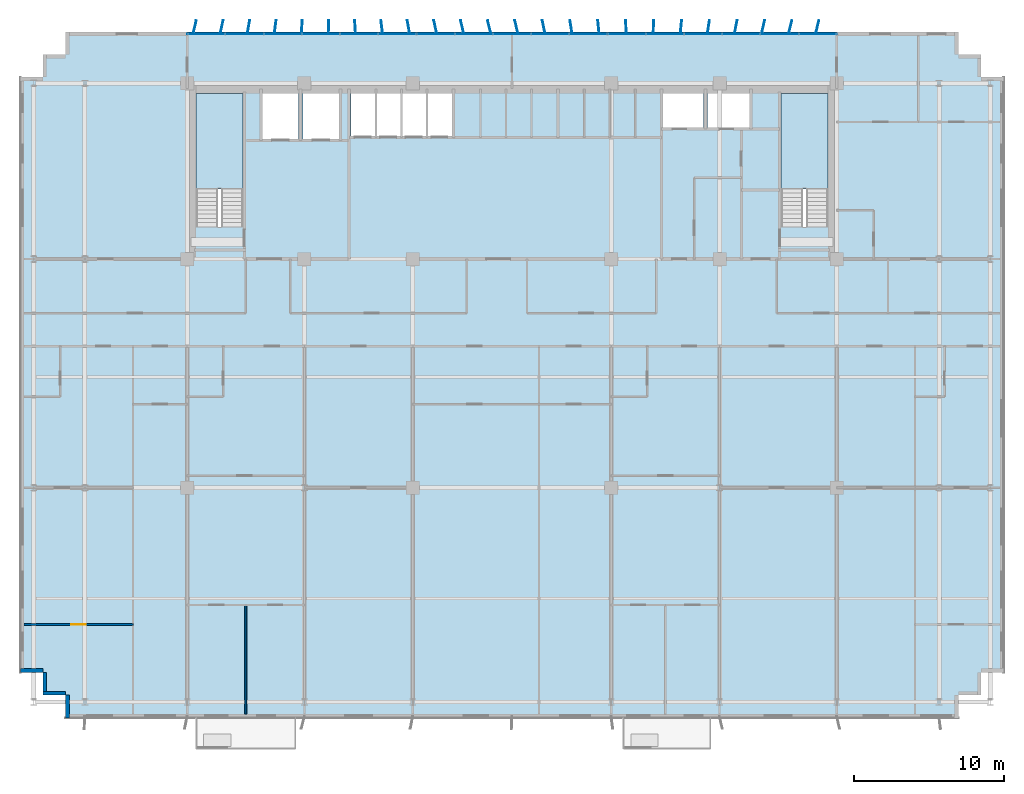
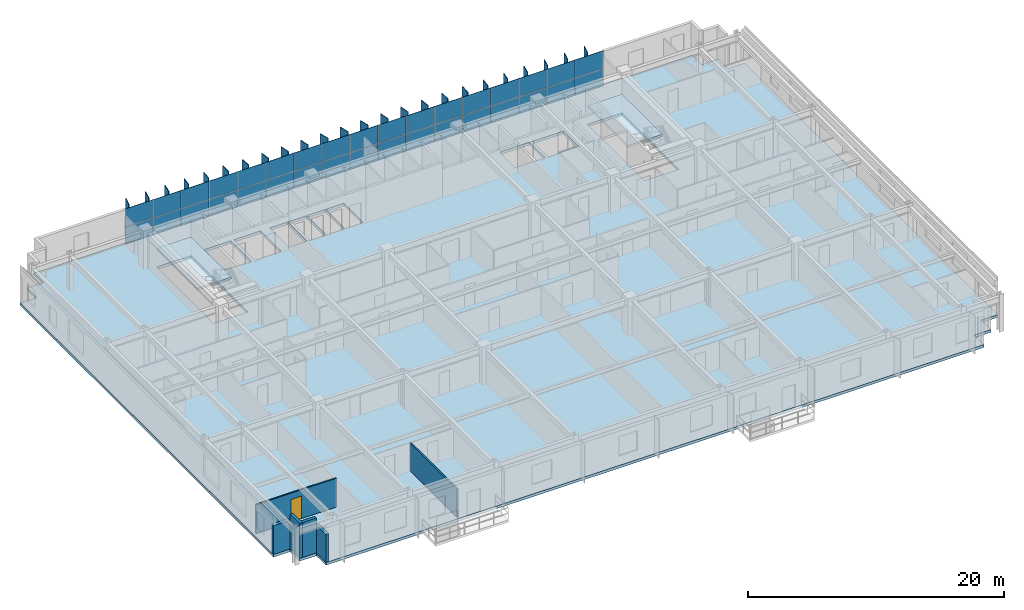
# One storey, part 14 of 22: 58 plates, 6 walls, 3 slabs, 1 door, 1 opening, 3 elements without a shape of their own.
"""IFC4 building model written with IfcOpenShell, lengths in metres."""

from ifc_helpers import new_model, si_unit, direction, frame, frame_2d, origin, origin_2d, place, context, subcontext, project, spatial, polyline, rectangle, outline, extrude, source, transform, mapped, material, layer, layer_set, type_object, element, fill, aggregate, save


model = new_model("IFC4")

# Units and contexts
model_context = context("Model", 3, precision=1e-05, world=origin(), true_north=direction((0.0, 1.0)))
body_context = subcontext(model_context, "Body", "Model", "MODEL_VIEW")
ifc_project = project(units=[si_unit("LENGTHUNIT", "METRE"), si_unit("AREAUNIT", "SQUARE_METRE"), si_unit("VOLUMEUNIT", "CUBIC_METRE"), si_unit("PLANEANGLEUNIT", "RADIAN"), si_unit("MASSUNIT", "GRAM", prefix="KILO")], contexts=[model_context])

# Site, building, storey
site_placement = place(None, origin())
site = spatial("IfcSite", under=ifc_project, at=site_placement, CompositionType="ELEMENT")
building_placement = place(site_placement, origin())
building = spatial("IfcBuilding", under=site, at=building_placement, Name="Trelvane Seafront Commons", CompositionType="ELEMENT")
storey_placement = place(building_placement, frame((0.0, 0.0, 52.300048828125)))
storey = spatial("IfcBuildingStorey", under=building, at=storey_placement, Name="L13", CompositionType="ELEMENT", Elevation=52.300048828125)

# Stair, slab
ifc_material_1 = material(Name="Concrete C40/50", Category="concrete")
stair_type_1 = type_object("IfcStairType", Name="ARCH-STR-ST-1-R20-180", PredefinedType="HALF_TURN_STAIR", material=ifc_material_1)
stair_1_placement = place(storey_placement, origin())
stair_1 = element("IfcStair", 1, at=stair_1_placement, inside=storey, type_object=stair_type_1, Name="L13 West Protected Firefighting Exit Stair ST-1", PredefinedType="HALF_TURN_STAIR")
ifc_layer_1 = layer(ifc_material_1, 0.199951171875, Name="ARCH-LND-200")
ifc_layer_set_1 = layer_set([ifc_layer_1], Name="Concrete C40/50")
slab_type_1 = type_object("IfcSlabType", Name="ARCH-LND-200", PredefinedType="LANDING", material=ifc_layer_set_1)
slab_1_placement = place(storey_placement, frame((0.0, 0.0, 1.599853515625)))
slab_1 = element("IfcSlab", 2, at=slab_1_placement, type_object=slab_type_1, Name="ST-1 landing 1", PredefinedType="LANDING", context=body_context, shape_type="SweptSolid", body=[
    extrude(outline(polyline([(19.300048828125, 38.070068359375), (19.300048828125, 44.39990234375), (16.199951171875, 44.39990234375), (16.199951171875, 38.070068359375), (19.300048828125, 38.070068359375)])), origin(), (0.0, 0.0, 1.0), 0.2001953125),
])
aggregate(stair_1, [slab_1])

stair_type_2 = type_object("IfcStairType", Name="ARCH-STR-ST-2-R20-180", PredefinedType="HALF_TURN_STAIR", material=ifc_material_1)
stair_2_placement = place(storey_placement, origin())
stair_2 = element("IfcStair", 3, at=stair_2_placement, inside=storey, type_object=stair_type_2, Name="L13 East Protected Firefighting Exit Stair ST-2", PredefinedType="HALF_TURN_STAIR")
slab_2_placement = place(storey_placement, frame((0.0, 0.0, 1.599853515625)))
slab_2 = element("IfcSlab", 4, at=slab_2_placement, type_object=slab_type_1, Name="ST-2 landing 1", PredefinedType="LANDING", context=body_context, shape_type="SweptSolid", body=[
    extrude(outline(polyline([(58.199951171875, 38.070068359375), (58.199951171875, 44.39990234375), (55.10009765625, 44.39990234375), (55.10009765625, 38.070068359375), (58.199951171875, 38.070068359375)])), origin(), (0.0, 0.0, 1.0), 0.2001953125),
])
aggregate(stair_2, [slab_2])

# Slab
ifc_material_2 = material(Name="Concrete C50/60", Category="concrete")
ifc_layer_2 = layer(ifc_material_2, 0.260009765625, Name="STR-SLB-Z1-260")
ifc_layer_set_2 = layer_set([ifc_layer_2], Name="Concrete C50/60")
slab_type_2 = type_object("IfcSlabType", Name="STR-SLB-Z1-260", PredefinedType="FLOOR", material=ifc_layer_set_2)
slab_3_placement = place(storey_placement, frame((0.0, 0.0, -0.260009765625)))
element("IfcSlab", 5, at=slab_3_placement, inside=storey, type_object=slab_type_2, Name="L13 Structural Floor Slab", PredefinedType="FLOOR", context=body_context, shape_type="SweptSolid", body=[
    extrude(outline(polyline([(7.5, 2.89990234375), (66.89990234375, 2.89990234375), (66.89990234375, 4.39990234375), (68.39990234375, 4.39990234375), (68.39990234375, 5.89990234375), (69.89990234375, 5.89990234375), (69.89990234375, 45.5), (68.39990234375, 45.5), (68.39990234375, 47.0), (66.89990234375, 47.0), (66.89990234375, 48.5), (7.5, 48.5), (7.5, 47.0), (6.0, 47.0), (6.0, 45.5), (4.5, 45.5), (4.5, 5.89990234375), (6.0, 5.89990234375), (6.0, 4.39990234375), (7.5, 4.39990234375), (7.5, 2.89990234375)]), holes=[polyline([(19.300048828125, 35.550048828125), (16.199951171875, 35.550048828125), (16.199951171875, 44.39990234375), (19.300048828125, 44.39990234375), (19.300048828125, 35.550048828125)]), polyline([(58.199951171875, 35.550048828125), (55.10009765625, 35.550048828125), (55.10009765625, 44.39990234375), (58.199951171875, 44.39990234375), (58.199951171875, 35.550048828125)]), polyline([(23.0, 41.39990234375), (20.60009765625, 41.39990234375), (20.60009765625, 44.60009765625), (23.0, 44.60009765625), (23.0, 41.39990234375)]), polyline([(23.300048828125, 41.39990234375), (23.300048828125, 44.60009765625), (25.699951171875, 44.60009765625), (25.699951171875, 41.39990234375), (23.300048828125, 41.39990234375)]), polyline([(26.5, 41.60009765625), (26.5, 44.60009765625), (28.1201171875, 44.60009765625), (28.1201171875, 41.60009765625), (26.5, 41.60009765625)]), polyline([(29.820068359375, 41.60009765625), (28.199951171875, 41.60009765625), (28.199951171875, 44.60009765625), (29.820068359375, 44.60009765625), (29.820068359375, 41.60009765625)]), polyline([(31.52001953125, 41.60009765625), (29.89990234375, 41.60009765625), (29.89990234375, 44.60009765625), (31.52001953125, 44.60009765625), (31.52001953125, 41.60009765625)]), polyline([(33.219970703125, 41.60009765625), (31.60009765625, 41.60009765625), (31.60009765625, 44.60009765625), (33.219970703125, 44.60009765625), (33.219970703125, 41.60009765625)]), polyline([(47.25, 42.14990234375), (47.25, 44.550048828125), (49.949951171875, 44.550048828125), (49.949951171875, 42.14990234375), (47.25, 42.14990234375)]), polyline([(50.199951171875, 42.14990234375), (50.199951171875, 44.550048828125), (53.0, 44.550048828125), (53.0, 42.14990234375), (50.199951171875, 42.14990234375)])]), origin(), (0.0, 0.0, 1.0), 0.260009765625),
])

# Curtain wall, plates
ifc_material_3 = material(Name="Anodised pale-silver aluminium", Category="aluminium")
curtain_wall_type = type_object("IfcCurtainWallType", Name="ARCH-CW2-LOWTOWER", PredefinedType="NOTDEFINED", material=ifc_material_3)
curtain_wall_placement = place(storey_placement, origin())
curtain_wall = element("IfcCurtainWall", 6, at=curtain_wall_placement, inside=storey, type_object=curtain_wall_type, Name="CW-L13-0037", PredefinedType="NOTDEFINED")
ifc_material_4 = material(Name="Low-E coastal double glazing", Category="glass")
ifc_layer_3 = layer(ifc_material_4, 0.033935546875, Name="ARCH-CW-GLAZ-34")
ifc_layer_set_3 = layer_set([ifc_layer_3], Name="Low-E coastal double glazing")
plate_type_1 = type_object("IfcPlateType", Name="ARCH-CW-GLAZ-34", PredefinedType="CURTAIN_PANEL", material=ifc_layer_set_3)
shared_shape_1 = source(origin(), body_context, "Body", "SweptSolid", [
    extrude(rectangle(XDim=2.51708984375, YDim=0.031982421875, at=origin_2d()), origin(), (0.0, 0.0, 1.0), 1.5849609375),
])
plate_1_placement = place(storey_placement, frame((16.87060546875, 48.3701171875, 0.0), z_axis=(0.0, 0.0, 1.0), x_axis=(1.0, 0.0, 0.0)))
plate_1 = element("IfcPlate", 7, at=plate_1_placement, type_object=plate_type_1, Name="CW-L13-0037-P00-1", PredefinedType="CURTAIN_PANEL", context=body_context, shape_type="MappedRepresentation", body=[
    mapped(shared_shape_1, transform((0.0, 0.0, 0.0), x_axis=(1.0, 0.0, 0.0), y_axis=(0.0, 1.0, 0.0), z_axis=(0.0, 0.0, 1.0), scale=1.0)),
])
plate_2_placement = place(storey_placement, frame((19.411865234375, 48.3701171875, 0.0), z_axis=(0.0, 0.0, 1.0), x_axis=(1.0, 0.0, 0.0)))
plate_2 = element("IfcPlate", 8, at=plate_2_placement, type_object=plate_type_1, Name="CW-L13-0037-P01-1", PredefinedType="CURTAIN_PANEL", context=body_context, shape_type="MappedRepresentation", body=[
    mapped(shared_shape_1, transform((0.0, 0.0, 0.0), x_axis=(1.0, 0.0, 0.0), y_axis=(0.0, 1.0, 0.0), z_axis=(0.0, 0.0, 1.0), scale=1.0)),
])
plate_3_placement = place(storey_placement, frame((21.952880859375, 48.3701171875, 0.0), z_axis=(0.0, 0.0, 1.0), x_axis=(1.0, 0.0, 0.0)))
plate_3 = element("IfcPlate", 9, at=plate_3_placement, type_object=plate_type_1, Name="CW-L13-0037-P02-1", PredefinedType="CURTAIN_PANEL", context=body_context, shape_type="MappedRepresentation", body=[
    mapped(shared_shape_1, transform((0.0, 0.0, 0.0), x_axis=(1.0, 0.0, 0.0), y_axis=(0.0, 1.0, 0.0), z_axis=(0.0, 0.0, 1.0), scale=1.0)),
])
plate_4_placement = place(storey_placement, frame((24.494140625, 48.3701171875, 0.0), z_axis=(0.0, 0.0, 1.0), x_axis=(1.0, 0.0, 0.0)))
plate_4 = element("IfcPlate", 10, at=plate_4_placement, type_object=plate_type_1, Name="CW-L13-0037-P03-1", PredefinedType="CURTAIN_PANEL", context=body_context, shape_type="MappedRepresentation", body=[
    mapped(shared_shape_1, transform((0.0, 0.0, 0.0), x_axis=(1.0, 0.0, 0.0), y_axis=(0.0, 1.0, 0.0), z_axis=(0.0, 0.0, 1.0), scale=1.0)),
])
plate_5_placement = place(storey_placement, frame((27.035400390625, 48.3701171875, 0.0), z_axis=(0.0, 0.0, 1.0), x_axis=(1.0, 0.0, 0.0)))
plate_5 = element("IfcPlate", 11, at=plate_5_placement, type_object=plate_type_1, Name="CW-L13-0037-P04-1", PredefinedType="CURTAIN_PANEL", context=body_context, shape_type="MappedRepresentation", body=[
    mapped(shared_shape_1, transform((0.0, 0.0, 0.0), x_axis=(1.0, 0.0, 0.0), y_axis=(0.0, 1.0, 0.0), z_axis=(0.0, 0.0, 1.0), scale=1.0)),
])
plate_6_placement = place(storey_placement, frame((29.576416015625, 48.3701171875, 0.0), z_axis=(0.0, 0.0, 1.0), x_axis=(1.0, 0.0, 0.0)))
plate_6 = element("IfcPlate", 12, at=plate_6_placement, type_object=plate_type_1, Name="CW-L13-0037-P05-1", PredefinedType="CURTAIN_PANEL", context=body_context, shape_type="MappedRepresentation", body=[
    mapped(shared_shape_1, transform((0.0, 0.0, 0.0), x_axis=(1.0, 0.0, 0.0), y_axis=(0.0, 1.0, 0.0), z_axis=(0.0, 0.0, 1.0), scale=1.0)),
])
plate_7_placement = place(storey_placement, frame((32.11767578125, 48.3701171875, 0.0), z_axis=(0.0, 0.0, 1.0), x_axis=(1.0, 0.0, 0.0)))
plate_7 = element("IfcPlate", 13, at=plate_7_placement, type_object=plate_type_1, Name="CW-L13-0037-P06-1", PredefinedType="CURTAIN_PANEL", context=body_context, shape_type="MappedRepresentation", body=[
    mapped(shared_shape_1, transform((0.0, 0.0, 0.0), x_axis=(1.0, 0.0, 0.0), y_axis=(0.0, 1.0, 0.0), z_axis=(0.0, 0.0, 1.0), scale=1.0)),
])
plate_8_placement = place(storey_placement, frame((34.65869140625, 48.3701171875, 0.0), z_axis=(0.0, 0.0, 1.0), x_axis=(1.0, 0.0, 0.0)))
plate_8 = element("IfcPlate", 14, at=plate_8_placement, type_object=plate_type_1, Name="CW-L13-0037-P07-1", PredefinedType="CURTAIN_PANEL", context=body_context, shape_type="MappedRepresentation", body=[
    mapped(shared_shape_1, transform((0.0, 0.0, 0.0), x_axis=(1.0, 0.0, 0.0), y_axis=(0.0, 1.0, 0.0), z_axis=(0.0, 0.0, 1.0), scale=1.0)),
])
plate_9_placement = place(storey_placement, frame((37.199951171875, 48.3701171875, 0.0), z_axis=(0.0, 0.0, 1.0), x_axis=(1.0, 0.0, 0.0)))
plate_9 = element("IfcPlate", 15, at=plate_9_placement, type_object=plate_type_1, Name="CW-L13-0037-P08-1", PredefinedType="CURTAIN_PANEL", context=body_context, shape_type="MappedRepresentation", body=[
    mapped(shared_shape_1, transform((0.0, 0.0, 0.0), x_axis=(1.0, 0.0, 0.0), y_axis=(0.0, 1.0, 0.0), z_axis=(0.0, 0.0, 1.0), scale=1.0)),
])
plate_10_placement = place(storey_placement, frame((39.7412109375, 48.3701171875, 0.0), z_axis=(0.0, 0.0, 1.0), x_axis=(1.0, 0.0, 0.0)))
plate_10 = element("IfcPlate", 16, at=plate_10_placement, type_object=plate_type_1, Name="CW-L13-0037-P09-1", PredefinedType="CURTAIN_PANEL", context=body_context, shape_type="MappedRepresentation", body=[
    mapped(shared_shape_1, transform((0.0, 0.0, 0.0), x_axis=(1.0, 0.0, 0.0), y_axis=(0.0, 1.0, 0.0), z_axis=(0.0, 0.0, 1.0), scale=1.0)),
])
plate_11_placement = place(storey_placement, frame((42.282470703125, 48.3701171875, 0.0), z_axis=(0.0, 0.0, 1.0), x_axis=(1.0, 0.0, 0.0)))
plate_11 = element("IfcPlate", 17, at=plate_11_placement, type_object=plate_type_1, Name="CW-L13-0037-P10-1", PredefinedType="CURTAIN_PANEL", context=body_context, shape_type="MappedRepresentation", body=[
    mapped(shared_shape_1, transform((0.0, 0.0, 0.0), x_axis=(1.0, 0.0, 0.0), y_axis=(0.0, 1.0, 0.0), z_axis=(0.0, 0.0, 1.0), scale=1.0)),
])
plate_12_placement = place(storey_placement, frame((44.823486328125, 48.3701171875, 0.0), z_axis=(0.0, 0.0, 1.0), x_axis=(1.0, 0.0, 0.0)))
plate_12 = element("IfcPlate", 18, at=plate_12_placement, type_object=plate_type_1, Name="CW-L13-0037-P11-1", PredefinedType="CURTAIN_PANEL", context=body_context, shape_type="MappedRepresentation", body=[
    mapped(shared_shape_1, transform((0.0, 0.0, 0.0), x_axis=(1.0, 0.0, 0.0), y_axis=(0.0, 1.0, 0.0), z_axis=(0.0, 0.0, 1.0), scale=1.0)),
])
plate_13_placement = place(storey_placement, frame((47.36474609375, 48.3701171875, 0.0), z_axis=(0.0, 0.0, 1.0), x_axis=(1.0, 0.0, 0.0)))
plate_13 = element("IfcPlate", 19, at=plate_13_placement, type_object=plate_type_1, Name="CW-L13-0037-P12-1", PredefinedType="CURTAIN_PANEL", context=body_context, shape_type="MappedRepresentation", body=[
    mapped(shared_shape_1, transform((0.0, 0.0, 0.0), x_axis=(1.0, 0.0, 0.0), y_axis=(0.0, 1.0, 0.0), z_axis=(0.0, 0.0, 1.0), scale=1.0)),
])
plate_14_placement = place(storey_placement, frame((49.906005859375, 48.3701171875, 0.0), z_axis=(0.0, 0.0, 1.0), x_axis=(1.0, 0.0, 0.0)))
plate_14 = element("IfcPlate", 20, at=plate_14_placement, type_object=plate_type_1, Name="CW-L13-0037-P13-1", PredefinedType="CURTAIN_PANEL", context=body_context, shape_type="MappedRepresentation", body=[
    mapped(shared_shape_1, transform((0.0, 0.0, 0.0), x_axis=(1.0, 0.0, 0.0), y_axis=(0.0, 1.0, 0.0), z_axis=(0.0, 0.0, 1.0), scale=1.0)),
])
plate_15_placement = place(storey_placement, frame((52.447021484375, 48.3701171875, 0.0), z_axis=(0.0, 0.0, 1.0), x_axis=(1.0, 0.0, 0.0)))
plate_15 = element("IfcPlate", 21, at=plate_15_placement, type_object=plate_type_1, Name="CW-L13-0037-P14-1", PredefinedType="CURTAIN_PANEL", context=body_context, shape_type="MappedRepresentation", body=[
    mapped(shared_shape_1, transform((0.0, 0.0, 0.0), x_axis=(1.0, 0.0, 0.0), y_axis=(0.0, 1.0, 0.0), z_axis=(0.0, 0.0, 1.0), scale=1.0)),
])
plate_16_placement = place(storey_placement, frame((54.98828125, 48.3701171875, 0.0), z_axis=(0.0, 0.0, 1.0), x_axis=(1.0, 0.0, 0.0)))
plate_16 = element("IfcPlate", 22, at=plate_16_placement, type_object=plate_type_1, Name="CW-L13-0037-P15-1", PredefinedType="CURTAIN_PANEL", context=body_context, shape_type="MappedRepresentation", body=[
    mapped(shared_shape_1, transform((0.0, 0.0, 0.0), x_axis=(1.0, 0.0, 0.0), y_axis=(0.0, 1.0, 0.0), z_axis=(0.0, 0.0, 1.0), scale=1.0)),
])
plate_17_placement = place(storey_placement, frame((57.529296875, 48.3701171875, 0.0), z_axis=(0.0, 0.0, 1.0), x_axis=(1.0, 0.0, 0.0)))
plate_17 = element("IfcPlate", 23, at=plate_17_placement, type_object=plate_type_1, Name="CW-L13-0037-P16-1", PredefinedType="CURTAIN_PANEL", context=body_context, shape_type="MappedRepresentation", body=[
    mapped(shared_shape_1, transform((0.0, 0.0, 0.0), x_axis=(1.0, 0.0, 0.0), y_axis=(0.0, 1.0, 0.0), z_axis=(0.0, 0.0, 1.0), scale=1.0)),
])
shared_shape_2 = source(origin(), body_context, "Body", "SweptSolid", [
    extrude(rectangle(XDim=2.51708984375, YDim=0.031982421875, at=origin_2d()), origin(), (0.0, 0.0, 1.0), 1.718994140625),
])
plate_18_placement = place(storey_placement, frame((16.87060546875, 48.3701171875, 1.62109375), z_axis=(0.0, 0.0, 1.0), x_axis=(1.0, 0.0, 0.0)))
plate_18 = element("IfcPlate", 24, at=plate_18_placement, type_object=plate_type_1, Name="CW-L13-0037-P00-2", PredefinedType="CURTAIN_PANEL", context=body_context, shape_type="MappedRepresentation", body=[
    mapped(shared_shape_2, transform((0.0, 0.0, 0.0), x_axis=(1.0, 0.0, 0.0), y_axis=(0.0, 1.0, 0.0), z_axis=(0.0, 0.0, 1.0), scale=1.0)),
])
plate_19_placement = place(storey_placement, frame((19.411865234375, 48.3701171875, 1.62109375), z_axis=(0.0, 0.0, 1.0), x_axis=(1.0, 0.0, 0.0)))
plate_19 = element("IfcPlate", 25, at=plate_19_placement, type_object=plate_type_1, Name="CW-L13-0037-P01-2", PredefinedType="CURTAIN_PANEL", context=body_context, shape_type="MappedRepresentation", body=[
    mapped(shared_shape_2, transform((0.0, 0.0, 0.0), x_axis=(1.0, 0.0, 0.0), y_axis=(0.0, 1.0, 0.0), z_axis=(0.0, 0.0, 1.0), scale=1.0)),
])
plate_20_placement = place(storey_placement, frame((21.952880859375, 48.3701171875, 1.62109375), z_axis=(0.0, 0.0, 1.0), x_axis=(1.0, 0.0, 0.0)))
plate_20 = element("IfcPlate", 26, at=plate_20_placement, type_object=plate_type_1, Name="CW-L13-0037-P02-2", PredefinedType="CURTAIN_PANEL", context=body_context, shape_type="MappedRepresentation", body=[
    mapped(shared_shape_2, transform((0.0, 0.0, 0.0), x_axis=(1.0, 0.0, 0.0), y_axis=(0.0, 1.0, 0.0), z_axis=(0.0, 0.0, 1.0), scale=1.0)),
])
plate_21_placement = place(storey_placement, frame((24.494140625, 48.3701171875, 1.62109375), z_axis=(0.0, 0.0, 1.0), x_axis=(1.0, 0.0, 0.0)))
plate_21 = element("IfcPlate", 27, at=plate_21_placement, type_object=plate_type_1, Name="CW-L13-0037-P03-2", PredefinedType="CURTAIN_PANEL", context=body_context, shape_type="MappedRepresentation", body=[
    mapped(shared_shape_2, transform((0.0, 0.0, 0.0), x_axis=(1.0, 0.0, 0.0), y_axis=(0.0, 1.0, 0.0), z_axis=(0.0, 0.0, 1.0), scale=1.0)),
])
plate_22_placement = place(storey_placement, frame((27.035400390625, 48.3701171875, 1.62109375), z_axis=(0.0, 0.0, 1.0), x_axis=(1.0, 0.0, 0.0)))
plate_22 = element("IfcPlate", 28, at=plate_22_placement, type_object=plate_type_1, Name="CW-L13-0037-P04-2", PredefinedType="CURTAIN_PANEL", context=body_context, shape_type="MappedRepresentation", body=[
    mapped(shared_shape_2, transform((0.0, 0.0, 0.0), x_axis=(1.0, 0.0, 0.0), y_axis=(0.0, 1.0, 0.0), z_axis=(0.0, 0.0, 1.0), scale=1.0)),
])
plate_23_placement = place(storey_placement, frame((29.576416015625, 48.3701171875, 1.62109375), z_axis=(0.0, 0.0, 1.0), x_axis=(1.0, 0.0, 0.0)))
plate_23 = element("IfcPlate", 29, at=plate_23_placement, type_object=plate_type_1, Name="CW-L13-0037-P05-2", PredefinedType="CURTAIN_PANEL", context=body_context, shape_type="MappedRepresentation", body=[
    mapped(shared_shape_2, transform((0.0, 0.0, 0.0), x_axis=(1.0, 0.0, 0.0), y_axis=(0.0, 1.0, 0.0), z_axis=(0.0, 0.0, 1.0), scale=1.0)),
])
plate_24_placement = place(storey_placement, frame((32.11767578125, 48.3701171875, 1.62109375), z_axis=(0.0, 0.0, 1.0), x_axis=(1.0, 0.0, 0.0)))
plate_24 = element("IfcPlate", 30, at=plate_24_placement, type_object=plate_type_1, Name="CW-L13-0037-P06-2", PredefinedType="CURTAIN_PANEL", context=body_context, shape_type="MappedRepresentation", body=[
    mapped(shared_shape_2, transform((0.0, 0.0, 0.0), x_axis=(1.0, 0.0, 0.0), y_axis=(0.0, 1.0, 0.0), z_axis=(0.0, 0.0, 1.0), scale=1.0)),
])
plate_25_placement = place(storey_placement, frame((34.65869140625, 48.3701171875, 1.62109375), z_axis=(0.0, 0.0, 1.0), x_axis=(1.0, 0.0, 0.0)))
plate_25 = element("IfcPlate", 31, at=plate_25_placement, type_object=plate_type_1, Name="CW-L13-0037-P07-2", PredefinedType="CURTAIN_PANEL", context=body_context, shape_type="MappedRepresentation", body=[
    mapped(shared_shape_2, transform((0.0, 0.0, 0.0), x_axis=(1.0, 0.0, 0.0), y_axis=(0.0, 1.0, 0.0), z_axis=(0.0, 0.0, 1.0), scale=1.0)),
])
plate_26_placement = place(storey_placement, frame((37.199951171875, 48.3701171875, 1.62109375), z_axis=(0.0, 0.0, 1.0), x_axis=(1.0, 0.0, 0.0)))
plate_26 = element("IfcPlate", 32, at=plate_26_placement, type_object=plate_type_1, Name="CW-L13-0037-P08-2", PredefinedType="CURTAIN_PANEL", context=body_context, shape_type="MappedRepresentation", body=[
    mapped(shared_shape_2, transform((0.0, 0.0, 0.0), x_axis=(1.0, 0.0, 0.0), y_axis=(0.0, 1.0, 0.0), z_axis=(0.0, 0.0, 1.0), scale=1.0)),
])
plate_27_placement = place(storey_placement, frame((39.7412109375, 48.3701171875, 1.62109375), z_axis=(0.0, 0.0, 1.0), x_axis=(1.0, 0.0, 0.0)))
plate_27 = element("IfcPlate", 33, at=plate_27_placement, type_object=plate_type_1, Name="CW-L13-0037-P09-2", PredefinedType="CURTAIN_PANEL", context=body_context, shape_type="MappedRepresentation", body=[
    mapped(shared_shape_2, transform((0.0, 0.0, 0.0), x_axis=(1.0, 0.0, 0.0), y_axis=(0.0, 1.0, 0.0), z_axis=(0.0, 0.0, 1.0), scale=1.0)),
])
plate_28_placement = place(storey_placement, frame((42.282470703125, 48.3701171875, 1.62109375), z_axis=(0.0, 0.0, 1.0), x_axis=(1.0, 0.0, 0.0)))
plate_28 = element("IfcPlate", 34, at=plate_28_placement, type_object=plate_type_1, Name="CW-L13-0037-P10-2", PredefinedType="CURTAIN_PANEL", context=body_context, shape_type="MappedRepresentation", body=[
    mapped(shared_shape_2, transform((0.0, 0.0, 0.0), x_axis=(1.0, 0.0, 0.0), y_axis=(0.0, 1.0, 0.0), z_axis=(0.0, 0.0, 1.0), scale=1.0)),
])
plate_29_placement = place(storey_placement, frame((44.823486328125, 48.3701171875, 1.62109375), z_axis=(0.0, 0.0, 1.0), x_axis=(1.0, 0.0, 0.0)))
plate_29 = element("IfcPlate", 35, at=plate_29_placement, type_object=plate_type_1, Name="CW-L13-0037-P11-2", PredefinedType="CURTAIN_PANEL", context=body_context, shape_type="MappedRepresentation", body=[
    mapped(shared_shape_2, transform((0.0, 0.0, 0.0), x_axis=(1.0, 0.0, 0.0), y_axis=(0.0, 1.0, 0.0), z_axis=(0.0, 0.0, 1.0), scale=1.0)),
])
plate_30_placement = place(storey_placement, frame((47.36474609375, 48.3701171875, 1.62109375), z_axis=(0.0, 0.0, 1.0), x_axis=(1.0, 0.0, 0.0)))
plate_30 = element("IfcPlate", 36, at=plate_30_placement, type_object=plate_type_1, Name="CW-L13-0037-P12-2", PredefinedType="CURTAIN_PANEL", context=body_context, shape_type="MappedRepresentation", body=[
    mapped(shared_shape_2, transform((0.0, 0.0, 0.0), x_axis=(1.0, 0.0, 0.0), y_axis=(0.0, 1.0, 0.0), z_axis=(0.0, 0.0, 1.0), scale=1.0)),
])
plate_31_placement = place(storey_placement, frame((49.906005859375, 48.3701171875, 1.62109375), z_axis=(0.0, 0.0, 1.0), x_axis=(1.0, 0.0, 0.0)))
plate_31 = element("IfcPlate", 37, at=plate_31_placement, type_object=plate_type_1, Name="CW-L13-0037-P13-2", PredefinedType="CURTAIN_PANEL", context=body_context, shape_type="MappedRepresentation", body=[
    mapped(shared_shape_2, transform((0.0, 0.0, 0.0), x_axis=(1.0, 0.0, 0.0), y_axis=(0.0, 1.0, 0.0), z_axis=(0.0, 0.0, 1.0), scale=1.0)),
])
plate_32_placement = place(storey_placement, frame((52.447021484375, 48.3701171875, 1.62109375), z_axis=(0.0, 0.0, 1.0), x_axis=(1.0, 0.0, 0.0)))
plate_32 = element("IfcPlate", 38, at=plate_32_placement, type_object=plate_type_1, Name="CW-L13-0037-P14-2", PredefinedType="CURTAIN_PANEL", context=body_context, shape_type="MappedRepresentation", body=[
    mapped(shared_shape_2, transform((0.0, 0.0, 0.0), x_axis=(1.0, 0.0, 0.0), y_axis=(0.0, 1.0, 0.0), z_axis=(0.0, 0.0, 1.0), scale=1.0)),
])
plate_33_placement = place(storey_placement, frame((54.98828125, 48.3701171875, 1.62109375), z_axis=(0.0, 0.0, 1.0), x_axis=(1.0, 0.0, 0.0)))
plate_33 = element("IfcPlate", 39, at=plate_33_placement, type_object=plate_type_1, Name="CW-L13-0037-P15-2", PredefinedType="CURTAIN_PANEL", context=body_context, shape_type="MappedRepresentation", body=[
    mapped(shared_shape_2, transform((0.0, 0.0, 0.0), x_axis=(1.0, 0.0, 0.0), y_axis=(0.0, 1.0, 0.0), z_axis=(0.0, 0.0, 1.0), scale=1.0)),
])
plate_34_placement = place(storey_placement, frame((57.529296875, 48.3701171875, 1.62109375), z_axis=(0.0, 0.0, 1.0), x_axis=(1.0, 0.0, 0.0)))
plate_34 = element("IfcPlate", 40, at=plate_34_placement, type_object=plate_type_1, Name="CW-L13-0037-P16-2", PredefinedType="CURTAIN_PANEL", context=body_context, shape_type="MappedRepresentation", body=[
    mapped(shared_shape_2, transform((0.0, 0.0, 0.0), x_axis=(1.0, 0.0, 0.0), y_axis=(0.0, 1.0, 0.0), z_axis=(0.0, 0.0, 1.0), scale=1.0)),
])
aggregate(curtain_wall, [plate_1, plate_18, plate_2, plate_19, plate_3, plate_20, plate_4, plate_21, plate_5, plate_22, plate_6, plate_23, plate_7, plate_24, plate_8, plate_25, plate_9, plate_26, plate_10, plate_27, plate_11, plate_28, plate_12, plate_29, plate_13, plate_30, plate_14, plate_31, plate_15, plate_32, plate_16, plate_33, plate_17, plate_34])

# Plates
ifc_layer_4 = layer(ifc_material_3, 0.06005859375, Name="ARCH-PLATE-FIN900")
ifc_layer_set_4 = layer_set([ifc_layer_4], Name="Anodised pale-silver aluminium")
plate_type_2 = type_object("IfcPlateType", Name="ARCH-PLATE-FIN900", PredefinedType="USERDEFINED", material=ifc_layer_set_4)
shared_shape_3 = source(origin(), body_context, "Body", "SweptSolid", [
    extrude(rectangle(XDim=0.89990234375, YDim=0.06005859375, at=origin_2d()), origin(), (0.0, 0.0, 1.0), 3.639892578125),
])
for number, where, z_axis, x_axis, name in (
    (41, (16.10693359375, 48.837158203125, -0.02001953125), (0.0, 0.0, 1.0), (0.237668939173, 0.971346218067, 0.0), "FIN-L13-00262"),
    (42, (17.897705078125, 48.83935546875, -0.02001953125), (0.0, 0.0, 1.0), (0.216989957944, 0.976173836031, 0.0), "FIN-L13-00263"),
    (43, (19.68115234375, 48.842529296875, -0.02001953125), (0.0, 0.0, 1.0), (0.180215288519, 0.983627190446, 0.0), "FIN-L13-00264"),
    (44, (21.45849609375, 48.84619140625, -0.02001953125), (0.0, 0.0, 1.0), (0.129885917893, 0.991528944778, 0.0), "FIN-L13-00265"),
    (45, (23.231201171875, 48.848876953125, -0.02001953125), (0.0, 0.0, 1.0), (0.069556248403, 0.997578031188, 0.0), "FIN-L13-00266"),
    (46, (25.001708984375, 48.85009765625, -0.02001953125), (0.0, 0.0, 1.0), (0.003776883522, 0.99999286755, 0.0), "FIN-L13-00267"),
    (47, (26.77197265625, 48.84912109375, -0.02001953125), (0.0, 0.0, 1.0), (-0.062219170912, 0.998062510453, 0.0), "FIN-L13-00268"),
    (48, (28.54443359375, 48.8466796875, -0.02001953125), (0.0, 0.0, 1.0), (-0.123336484605, 0.992364908471, 0.0), "FIN-L13-00269"),
    (49, (30.3212890625, 48.843017578125, -0.02001953125), (0.0, 0.0, 1.0), (-0.17500243827, 0.984567999988, 0.0), "FIN-L13-00270"),
    (50, (32.10400390625, 48.839599609375, -0.02001953125), (0.0, 0.0, 1.0), (-0.213564102788, 0.976929052695, 0.0), "FIN-L13-00271"),
    (51, (33.893798828125, 48.837158203125, -0.02001953125), (0.0, 0.0, 1.0), (-0.236229352972, 0.971697325711, 0.0), "FIN-L13-00272"),
    (52, (35.69140625, 48.836669921875, -0.02001953125), (0.0, 0.0, 1.0), (-0.24156794104, 0.970383908493, 0.0), "FIN-L13-00273"),
    (53, (37.496826171875, 48.837890625, -0.02001953125), (0.0, 0.0, 1.0), (-0.229441623036, 0.973322424286, 0.0), "FIN-L13-00274"),
    (54, (39.309814453125, 48.8408203125, -0.02001953125), (0.0, 0.0, 1.0), (-0.200452136794, 0.979703496398, 0.0), "FIN-L13-00275"),
    (55, (41.129638671875, 48.844482421875, -0.02001953125), (0.0, 0.0, 1.0), (-0.156555132767, 0.987669221149, 0.0), "FIN-L13-00276"),
    (56, (42.95458984375, 48.84765625, -0.02001953125), (0.0, 0.0, 1.0), (-0.100669073587, 0.994919965436, 0.0), "FIN-L13-00277"),
    (57, (44.783203125, 48.849609375, -0.02001953125), (0.0, 0.0, 1.0), (-0.03699951442, 0.999315283548, 0.0), "FIN-L13-00278"),
    (58, (46.61328125, 48.849853515625, -0.02001953125), (0.0, 0.0, 1.0), (0.029444684103, 0.999566411289, 0.0), "FIN-L13-00279"),
    (59, (48.442138671875, 48.847900390625, -0.02001953125), (0.0, 0.0, 1.0), (0.093670433209, 0.995603259307, 0.0), "FIN-L13-00280"),
    (60, (50.267822265625, 48.844970703125, -0.02001953125), (0.0, 0.0, 1.0), (0.15067075876, 0.988583998684, 0.0), "FIN-L13-00281"),
    (61, (52.08837890625, 48.84130859375, -0.02001953125), (0.0, 0.0, 1.0), (0.196115579366, 0.980580786845, 0.0), "FIN-L13-00282"),
    (62, (53.902099609375, 48.83837890625, -0.02001953125), (0.0, 0.0, 1.0), (0.226896087135, 0.973918972832, 0.0), "FIN-L13-00283"),
    (63, (57.507080078125, 48.837158203125, -0.02001953125), (0.0, 0.0, 1.0), (0.237668939173, 0.971346218067, 0.0), "FIN-L13-00285"),
):
    element("IfcPlate", number, at=place(storey_placement, frame(where, z_axis=z_axis, x_axis=x_axis)), inside=storey, type_object=plate_type_2, Name=name, ObjectType="FIN", PredefinedType="USERDEFINED", context=body_context, shape_type="MappedRepresentation", body=[
        mapped(shared_shape_3, transform((0.0, 0.0, 0.0), x_axis=(1.0, 0.0, 0.0), y_axis=(0.0, 1.0, 0.0), z_axis=(0.0, 0.0, 1.0), scale=1.0)),
    ])
shared_shape_4 = source(origin(), body_context, "Body", "SweptSolid", [
    extrude(rectangle(XDim=0.900146484375, YDim=0.06005859375, at=origin_2d()), origin(), (0.0, 0.0, 1.0), 3.639892578125),
])
plate_35_placement = place(storey_placement, frame((55.70849609375, 48.836669921875, -0.02001953125), z_axis=(0.0, 0.0, 1.0), x_axis=(0.241097080864, 0.970501003399, 0.0)))
element("IfcPlate", 64, at=plate_35_placement, inside=storey, type_object=plate_type_2, Name="FIN-L13-00284", ObjectType="FIN", PredefinedType="USERDEFINED", context=body_context, shape_type="MappedRepresentation", body=[
    mapped(shared_shape_4, transform((0.0, 0.0, 0.0), x_axis=(1.0, 0.0, 0.0), y_axis=(0.0, 1.0, 0.0), z_axis=(0.0, 0.0, 1.0), scale=1.0)),
])

# Walls
ifc_material_5 = material(Name="Precast concrete C40/50", Category="concrete")
ifc_layer_5 = layer(ifc_material_5, 0.260009765625, Name="ARCH-WALL-EXT260")
ifc_layer_set_5 = layer_set([ifc_layer_5], Name="Precast concrete C40/50")
wall_type_1 = type_object("IfcWallType", Name="ARCH-WALL-EXT260", PredefinedType="SOLIDWALL", material=ifc_layer_set_5)
for number, where, z_axis, x_axis, name in (
    (65, (7.5, 4.530029296875, 0.0), (0.0, 0.0, 1.0), (-1.0, 0.0, 0.0), "EW-L13-00215"),
    (66, (6.1298828125, 4.39990234375, 0.0), (0.0, 0.0, 1.0), (0.0, 1.0, 0.0), "EW-L13-00216"),
):
    element("IfcWall", number, at=place(storey_placement, frame(where, z_axis=z_axis, x_axis=x_axis)), inside=storey, type_object=wall_type_1, Name=name, PredefinedType="SOLIDWALL", context=body_context, shape_type="SweptSolid", body=[
        extrude(rectangle(XDim=1.5, YDim=0.260009765625, at=frame_2d((0.75, 0.0))), origin(), (0.0, 0.0, 1.0), 3.33984375),
    ])
wall_1_placement = place(storey_placement, frame((6.0, 6.030029296875, 0.0), z_axis=(0.0, 0.0, 1.0), x_axis=(-1.0, 0.0, 0.0)))
element("IfcWall", 67, at=wall_1_placement, inside=storey, type_object=wall_type_1, Name="EW-L13-00217", PredefinedType="SOLIDWALL", context=body_context, shape_type="SweptSolid", body=[
    extrude(rectangle(XDim=1.5, YDim=0.260009765625, at=frame_2d((0.75, 0.0))), origin(), (0.0, 0.0, 1.0), 2.751953125),
])
wall_2_placement = place(storey_placement, frame((7.6298828125, 2.89990234375, 0.0), z_axis=(0.0, 0.0, 1.0), x_axis=(0.0, 1.0, 0.0)))
element("IfcWall", 68, at=wall_2_placement, inside=storey, type_object=wall_type_1, Name="EW-L13-00233", PredefinedType="SOLIDWALL", context=body_context, shape_type="SweptSolid", body=[
    extrude(rectangle(XDim=1.5, YDim=0.260009765625, at=frame_2d((0.75, 0.0))), origin(), (0.0, 0.0, 1.0), 2.68994140625),
])

# Wall, opening, door
ifc_material_6 = material(Name="Gypsum Drywall Acoustic Partition")
ifc_layer_6 = layer(ifc_material_6, 0.1201171875, Name="ARCH-WALL-PART120")
ifc_layer_set_6 = layer_set([ifc_layer_6], Name="Gypsum Drywall Acoustic Partition")
wall_type_2 = type_object("IfcWallType", Name="ARCH-WALL-PART120", PredefinedType="PARTITIONING", material=ifc_layer_set_6)
wall_3_placement = place(storey_placement, frame((4.760009765625, 9.10009765625, 0.0), z_axis=(0.0, 0.0, 1.0), x_axis=(1.0, 0.0, 0.0)))
wall_3 = element("IfcWall", 69, at=wall_3_placement, inside=storey, type_object=wall_type_2, Name="W-L13-U1-YM-1-072", PredefinedType="PARTITIONING", context=body_context, shape_type="SweptSolid", body=[
    extrude(rectangle(XDim=7.239990234375, YDim=0.1201171875, at=frame_2d((3.6201171875, 0.0))), origin(), (0.0, 0.0, 1.0), 2.751953125),
])
opening_placement = place(wall_3_placement, frame((3.14501953125, 0.0, 0.0)))
opening = element("IfcOpeningElement", 70, at=opening_placement, cuts=wall_3, Name="Opening D-L13-33", PredefinedType="OPENING", context=body_context, shape_type="SweptSolid", body=[
    extrude(rectangle(XDim=0.949951171875, YDim=2.14990234375, at=frame_2d((0.47509765625, 1.074951171875))), frame((0.0, 0.070068359375, 0.0), z_axis=(0.0, -1.0, 0.0), x_axis=(1.0, 0.0, 0.0)), (0.0, 0.0, 1.0), 0.14013671875),
])
ifc_material_7 = material(Name="Acoustic timber door leaf", Category="wood")
door_type = type_object("IfcDoorType", Name="ARCH-DR-INT950", OperationType="NOTDEFINED", PredefinedType="DOOR", material=ifc_material_7)
shared_shape_5 = source(origin(), body_context, "Body", "SweptSolid", [
    extrude(rectangle(XDim=0.949951171875, YDim=2.14990234375, at=frame_2d((0.47509765625, 1.074951171875))), frame((0.0, 0.02490234375, 0.0), z_axis=(0.0, -1.0, 0.0), x_axis=(1.0, 0.0, 0.0)), (0.0, 0.0, 1.0), 0.050048828125),
])
door_placement = place(opening_placement, origin())
door = element("IfcDoor", 71, at=door_placement, inside=storey, type_object=door_type, Name="L13 Door 33", OperationType="SINGLE_SWING_LEFT", OverallHeight=2.14990234375, OverallWidth=0.949951171875, PredefinedType="DOOR", context=body_context, shape_type="MappedRepresentation", body=[
    mapped(shared_shape_5, transform((0.0, 0.0, 0.0), x_axis=(1.0, 0.0, 0.0), y_axis=(0.0, 1.0, 0.0), z_axis=(0.0, 0.0, 1.0), scale=1.0)),
])
fill(opening, door)

# Wall
wall_4_placement = place(storey_placement, frame((19.5, 3.14501953125, 0.0), z_axis=(0.0, 0.0, 1.0), x_axis=(0.0, 1.0, 0.0)))
element("IfcWall", 72, at=wall_4_placement, inside=storey, type_object=wall_type_2, Name="W-L13-U3-BDV-1-081", PredefinedType="PARTITIONING", context=body_context, shape_type="SweptSolid", body=[
    extrude(rectangle(XDim=7.2548828125, YDim=0.1201171875, at=frame_2d((3.62744140625, 0.0))), origin(), (0.0, 0.0, 1.0), 2.68994140625),
])

save(model, "model.ifc")
